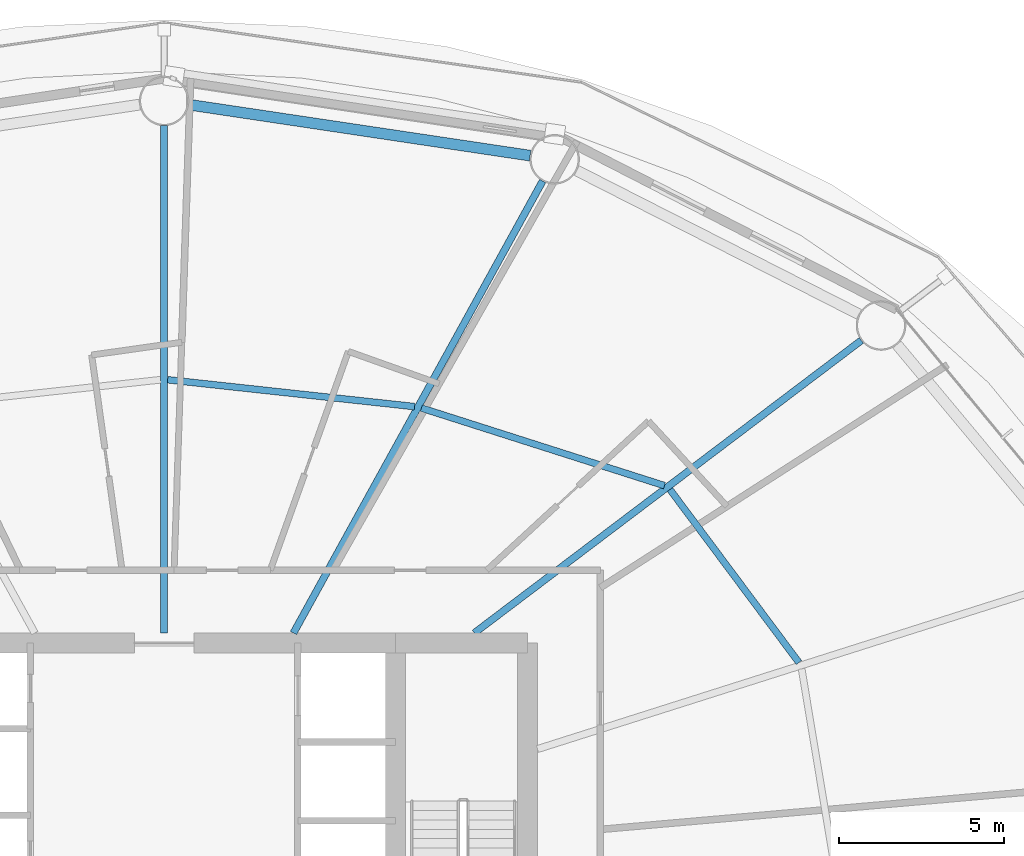
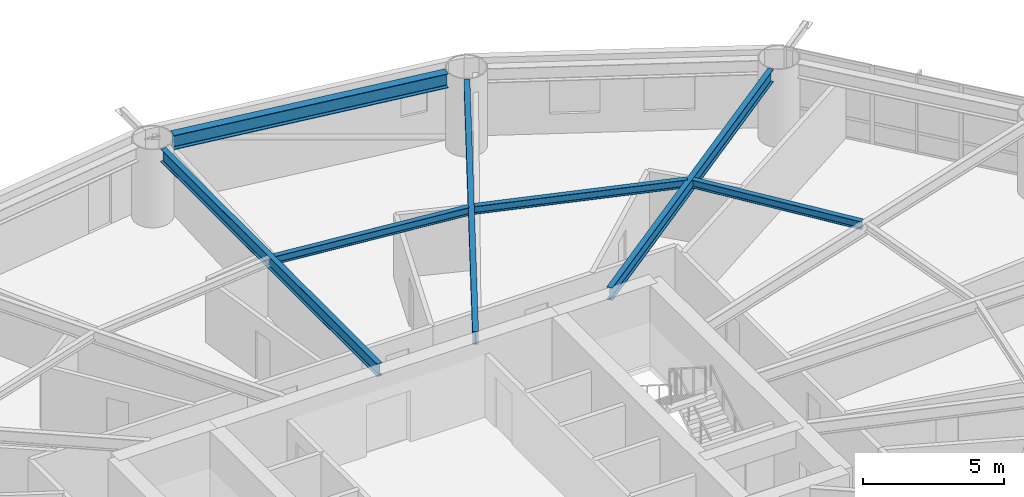
# One storey, part 13 of 28: 7 beams.
"""IFC4 building model written with IfcOpenShell, lengths in metres."""

import ifcopenshell
import ifcopenshell.guid

model = None  # the IFC model being written
_history = None  # IfcOwnerHistory: only IFC2X3 demands one
_inside = {}  # id of a spatial element -> (the spatial element, [elements in it])
_under = {}  # id of a project, library or spatial element -> (it, [spatial elements below it])
_declared = {}  # id of a project -> (the project, [libraries it declares])
_typed = {}  # id of a type object -> (the type object, [elements of that type])
_made_of = {}  # id of a material, layer set ... -> (it, [elements and type objects made of it])


def new_model(schema):
    """Start an empty IFC model of exactly this schema.

    Asked for "IFC4X3", IfcOpenShell would pick the latest addendum, in which some entities
    have other attributes; the version numbers below select the first issue.
    IFC2X3 requires an IfcOwnerHistory on every rooted entity: one is made here for all.
    """
    global model, _history
    if schema == "IFC4X3":
        model = ifcopenshell.file(schema_version=(4, 3, 0, 0))
    else:
        model = ifcopenshell.file(schema=schema)
    _inside.clear()
    _under.clear()
    _declared.clear()
    _typed.clear()
    _made_of.clear()
    _history = None
    if model.schema == "IFC2X3":
        org = make("IfcOrganization", Name="unknown")
        user = make(
            "IfcPersonAndOrganization",
            ThePerson=make("IfcPerson", FamilyName="unknown"),
            TheOrganization=org,
        )
        app = make(
            "IfcApplication",
            ApplicationDeveloper=org,
            Version="unknown",
            ApplicationFullName="unknown",
            ApplicationIdentifier="unknown",
        )
        _history = make(
            "IfcOwnerHistory",
            OwningUser=user,
            OwningApplication=app,
            ChangeAction="ADDED",
            CreationDate=0,
        )
    return model


def make(cls, **values):
    """One entity of the class cls with the attributes given. An attribute that is None is left unset."""
    return model.create_entity(
        cls, **{name: value for name, value in values.items() if value is not None}
    )


def rooted(cls, **values):
    """An entity with a GlobalId (a new one), such as an element, a storey or a relation."""
    return make(cls, GlobalId=ifcopenshell.guid.new(), OwnerHistory=_history, **values)


def si_unit(unit_type, name, prefix=None):
    """IfcSIUnit, for example si_unit("LENGTHUNIT", "METRE", prefix="MILLI")."""
    return make("IfcSIUnit", UnitType=unit_type, Prefix=prefix, Name=name)


def assignment(units):
    """IfcUnitAssignment: the units of a project."""
    return None if units is None else make("IfcUnitAssignment", Units=units)


def point(xyz):
    """IfcCartesianPoint."""
    return None if xyz is None else make("IfcCartesianPoint", Coordinates=xyz)


def direction(xyz):
    """IfcDirection."""
    return None if xyz is None else make("IfcDirection", DirectionRatios=xyz)


def frame(location, z_axis=None, x_axis=None):
    """IfcAxis2Placement3D, a coordinate frame: its origin and axes. An axis left out is left unset."""
    return make(
        "IfcAxis2Placement3D",
        Location=point(location),
        Axis=direction(z_axis),
        RefDirection=direction(x_axis),
    )


def frame_2d(location, x_axis=None):
    """IfcAxis2Placement2D, a coordinate frame in the plane: its origin and x axis."""
    return make(
        "IfcAxis2Placement2D", Location=point(location), RefDirection=direction(x_axis)
    )


def origin():
    """The frame at (0, 0, 0) with its axes left unset."""
    return frame((0.0, 0.0, 0.0))


def origin_2d():
    """The frame at (0, 0) in the plane with its x axis left unset."""
    return frame_2d((0.0, 0.0))


def place(relative_to, where):
    """IfcLocalPlacement: puts the frame where relative to a parent placement (None: the world)."""
    return make(
        "IfcLocalPlacement", PlacementRelTo=relative_to, RelativePlacement=where
    )


def context(
    kind, dimensions, precision=None, world=None, true_north=None, identifier=None
):
    """IfcGeometricRepresentationContext, for example the 3D "Model" context."""
    return make(
        "IfcGeometricRepresentationContext",
        ContextIdentifier=identifier,
        ContextType=kind,
        CoordinateSpaceDimension=dimensions,
        Precision=precision,
        WorldCoordinateSystem=world,
        TrueNorth=true_north,
    )


def subcontext(parent, identifier, kind, view, scale=None):
    """IfcGeometricRepresentationSubContext, for example "Body" below "Model"."""
    return make(
        "IfcGeometricRepresentationSubContext",
        ContextIdentifier=identifier,
        ContextType=kind,
        ParentContext=parent,
        TargetScale=scale,
        TargetView=view,
    )


def project(units=None, contexts=None):
    """IfcProject with its units and contexts."""
    return rooted(
        "IfcProject",
        Name="project",
        RepresentationContexts=contexts,
        UnitsInContext=assignment(units),
    )


def spatial(cls, under=None, at=None, **own):
    """A site, building, storey or space (cls), placed at a placement, below another one or the project."""
    s = rooted(cls, ObjectPlacement=at, **own)
    if under is not None:
        _under.setdefault(under.id(), (under, []))[1].append(s)
    return s


def profile(cls, at=None, kind="AREA", **sizes):
    """A parametric profile (cls). Its sizes go by their IFC names, for example OverallWidth=200.0."""
    return make(cls, ProfileType=kind, Position=at, **sizes)


def i_section(**sizes):
    """IfcIShapeProfileDef."""
    return profile("IfcIShapeProfileDef", **sizes)


def extrude(swept, where, along, depth):
    """IfcExtrudedAreaSolid: the profile swept, set in the frame where, extruded along a direction by depth."""
    return make(
        "IfcExtrudedAreaSolid",
        SweptArea=swept,
        Position=where,
        ExtrudedDirection=direction(along),
        Depth=depth,
    )


def shape(context_of_items, identifier, shape_type, items):
    """IfcShapeRepresentation: the items that make up one representation, for example the "Body"."""
    return make(
        "IfcShapeRepresentation",
        ContextOfItems=context_of_items,
        RepresentationIdentifier=identifier,
        RepresentationType=shape_type,
        Items=items,
    )


def material(Name=None, Category=None):
    """IfcMaterial."""
    return make("IfcMaterial", Name=Name, Category=Category)


def material_profile(
    of_material, cross_section, Name=None, Category=None, Priority=None
):
    """IfcMaterialProfile: a cross section and its material."""
    return make(
        "IfcMaterialProfile",
        Name=Name,
        Material=of_material,
        Profile=cross_section,
        Priority=Priority,
        Category=Category,
    )


def profile_set(profiles, Name=None, composite=None):
    """IfcMaterialProfileSet."""
    return make(
        "IfcMaterialProfileSet",
        Name=Name,
        MaterialProfiles=profiles,
        CompositeProfile=composite,
    )


def made_of(thing, what):
    """Note that an element or type object is made of a material, layer set ...; save() writes the relation."""
    if what is not None:
        _made_of.setdefault(what.id(), (what, []))[1].append(thing)
    return thing


def type_object(cls, material=None, **own):
    """A type object (cls), such as IfcWallType, which elements share."""
    return made_of(rooted(cls, **own), material)


def element(
    cls,
    number,
    at=None,
    inside=None,
    cuts=None,
    type_object=None,
    material=None,
    context=None,
    identifier="Body",
    shape_type=None,
    held_by="IfcProductDefinitionShape",
    body=None,
    shapes=None,
    **own,
):
    """One element of the class cls, such as IfcWall. Its Tag is "e" and its number.

    at: its placement. inside: the storey or other place that contains it. cuts: it is an
    opening in that element (IfcRelVoidsElement). A single representation is given by context,
    identifier, shape_type and body (its items); several are given by shapes. held_by: the class
    of the entity that holds the representations. save() writes the other relations.
    """
    e = rooted(cls, Tag="e%d" % number, ObjectPlacement=at, **own)
    if body is not None:
        shapes = [shape(context, identifier, shape_type, body)]
    if shapes is not None:
        e.Representation = make(held_by, Representations=shapes)
    if inside is not None:
        _inside.setdefault(inside.id(), (inside, []))[1].append(e)
    if cuts is not None:
        rooted(
            "IfcRelVoidsElement", RelatingBuildingElement=cuts, RelatedOpeningElement=e
        )
    if type_object is not None:
        _typed.setdefault(type_object.id(), (type_object, []))[1].append(e)
    return made_of(e, material)


def aggregate(whole, parts):
    """IfcRelAggregates: a whole, such as a stair, and the parts it consists of."""
    return rooted("IfcRelAggregates", RelatingObject=whole, RelatedObjects=parts)


def save(model, path):
    """Write the relations noted so far, then the file.

    IfcRelAggregates (storeys below a building ...), IfcRelContainedInSpatialStructure (elements
    in a storey), IfcRelDefinesByType, IfcRelAssociatesMaterial and IfcRelDeclares: one each for
    every whole, place, type object, material and project.
    """
    for whole, parts in _under.values():
        aggregate(whole, parts)
    for where, things in _inside.values():
        rooted(
            "IfcRelContainedInSpatialStructure",
            RelatedElements=things,
            RelatingStructure=where,
        )
    for kind, things in _typed.values():
        rooted("IfcRelDefinesByType", RelatedObjects=things, RelatingType=kind)
    for what, things in _made_of.values():
        rooted("IfcRelAssociatesMaterial", RelatedObjects=things, RelatingMaterial=what)
    for by, libraries in _declared.values():
        rooted("IfcRelDeclares", RelatingContext=by, RelatedDefinitions=libraries)
    model.write(path)


model = new_model("IFC4")

# Units and contexts
model_context = context("Model", 3, precision=1e-05, world=origin(), true_north=direction((0.0, 1.0)))
body_context = subcontext(model_context, "Body", "Model", "MODEL_VIEW")
ifc_project = project(units=[si_unit("LENGTHUNIT", "METRE"), si_unit("AREAUNIT", "SQUARE_METRE"), si_unit("VOLUMEUNIT", "CUBIC_METRE"), si_unit("PLANEANGLEUNIT", "RADIAN"), si_unit("MASSUNIT", "GRAM", prefix="KILO")], contexts=[model_context])

# Site, building, storey
site_placement = place(None, origin())
site = spatial("IfcSite", under=ifc_project, at=site_placement, CompositionType="ELEMENT")
building_placement = place(site_placement, origin())
building = spatial("IfcBuilding", under=site, at=building_placement, Name="Sarneth Arch Tower", CompositionType="ELEMENT")
storey_placement = place(building_placement, frame((0.0, 0.0, 31.800048828125)))
storey = spatial("IfcBuildingStorey", under=building, at=storey_placement, Name="L06", CompositionType="ELEMENT", Elevation=31.800048828125)

# Beams
ifc_material_1 = material(Name="Steel S355", Category="steel")
ifc_material_profile_1 = material_profile(ifc_material_1, i_section(OverallWidth=0.202880859375, OverallDepth=0.346923828125, WebThickness=0.0078125, FlangeThickness=0.013427734375, FilletRadius=0.014892578125, at=origin_2d()), Name="W360x64")
ifc_profile_set_1 = profile_set([ifc_material_profile_1], Name="Steel S355")
beam_type_1 = type_object("IfcBeamType", Name="BM-JOIST-360C", PredefinedType="JOIST", material=ifc_profile_set_1)
beam_1_placement = place(storey_placement, frame((67.21142578125, 48.205078125, 3.20654296875), z_axis=(-0.597700490469, 0.801719479428, 0.0), x_axis=(-0.801719479428, -0.597700490469, 0.0)))
element("IfcBeam", 1, at=beam_1_placement, inside=storey, type_object=beam_type_1, Name="L06 Secondary floor joist 02", PredefinedType="JOIST", context=body_context, shape_type="SweptSolid", body=[
    extrude(i_section(OverallWidth=0.202880859375, OverallDepth=0.346923828125, WebThickness=0.0078125, FlangeThickness=0.013427734375, FilletRadius=0.014892578125, at=origin_2d()), origin(), (0.0, 0.0, 1.0), 6.5302734375),
])
beam_2_placement = place(storey_placement, frame((63.142333984375, 53.558837890625, 3.20654296875), z_axis=(-0.95266836992, 0.304011475036, 0.0), x_axis=(-0.304011475036, -0.95266836992, 0.0)))
element("IfcBeam", 2, at=beam_2_placement, inside=storey, type_object=beam_type_1, Name="L06 Secondary floor joist 03", PredefinedType="JOIST", context=body_context, shape_type="SweptSolid", body=[
    extrude(i_section(OverallWidth=0.202880859375, OverallDepth=0.346923828125, WebThickness=0.0078125, FlangeThickness=0.013427734375, FilletRadius=0.014892578125, at=origin_2d()), origin(), (0.0, 0.0, 1.0), 7.720703125),
])
beam_3_placement = place(storey_placement, frame((55.578857421875, 55.9501953125, 3.20654296875), z_axis=(-0.994129966112, 0.108192469602, 0.0), x_axis=(-0.108192469602, -0.994129966112, 0.0)))
element("IfcBeam", 3, at=beam_3_placement, inside=storey, type_object=beam_type_1, Name="L06 Secondary floor joist 04", PredefinedType="JOIST", context=body_context, shape_type="SweptSolid", body=[
    extrude(i_section(OverallWidth=0.202880859375, OverallDepth=0.346923828125, WebThickness=0.0078125, FlangeThickness=0.013427734375, FilletRadius=0.014892578125, at=origin_2d()), origin(), (0.0, 0.0, 1.0), 7.5166015625),
])
ifc_material_2 = material(Name="Steel S355", Category="steel")
ifc_material_profile_2 = material_profile(ifc_material_2, i_section(OverallWidth=0.214111328125, OverallDepth=0.549072265625, WebThickness=0.0146484375, FlangeThickness=0.023681640625, FilletRadius=0.01806640625, at=origin_2d()), Name="W530x138")
ifc_profile_set_2 = profile_set([ifc_material_profile_2], Name="Steel S355")
beam_type_2 = type_object("IfcBeamType", Name="BM-RAD-530A", PredefinedType="BEAM", material=ifc_profile_set_2)
beam_4_placement = place(storey_placement, frame((57.390380859375, 49.10009765625, 3.10546875), z_axis=(0.79765464731, 0.603114469753, 0.0), x_axis=(-0.603114469753, 0.79765464731, 0.0)))
element("IfcBeam", 4, at=beam_4_placement, inside=storey, type_object=beam_type_2, Name="L06 Radial floor girder 03", PredefinedType="BEAM", context=body_context, shape_type="SweptSolid", body=[
    extrude(i_section(OverallWidth=0.214111328125, OverallDepth=0.549072265625, WebThickness=0.0146484375, FlangeThickness=0.023681640625, FilletRadius=0.01806640625, at=origin_2d()), origin(), (0.0, 0.0, 1.0), 14.677978515625),
])
beam_5_placement = place(storey_placement, frame((51.91455078125, 49.10009765625, 3.10546875), z_axis=(0.482841370957, 0.875707833979, 0.0), x_axis=(-0.875707833979, 0.482841370957, 0.0)))
element("IfcBeam", 5, at=beam_5_placement, inside=storey, type_object=beam_type_2, Name="L06 Radial floor girder 04", PredefinedType="BEAM", context=body_context, shape_type="SweptSolid", body=[
    extrude(i_section(OverallWidth=0.214111328125, OverallDepth=0.549072265625, WebThickness=0.0146484375, FlangeThickness=0.023681640625, FilletRadius=0.01806640625, at=origin_2d()), origin(), (0.0, 0.0, 1.0), 15.618408203125),
])
beam_6_placement = place(storey_placement, frame((48.0, 49.10009765625, 3.10546875), z_axis=(0.0, 1.0, 0.0), x_axis=(-1.0, 0.0, 0.0)))
element("IfcBeam", 6, at=beam_6_placement, inside=storey, type_object=beam_type_2, Name="L06 Radial floor girder 05", PredefinedType="BEAM", context=body_context, shape_type="SweptSolid", body=[
    extrude(i_section(OverallWidth=0.214111328125, OverallDepth=0.549072265625, WebThickness=0.0146484375, FlangeThickness=0.023681640625, FilletRadius=0.01806640625, at=origin_2d()), origin(), (0.0, 0.0, 1.0), 15.349853515625),
])
ifc_material_3 = material(Name="Steel S355", Category="steel")
ifc_material_profile_3 = material_profile(ifc_material_3, i_section(OverallWidth=0.326904296875, OverallDepth=0.6220703125, WebThickness=0.015380859375, FlangeThickness=0.0244140625, FilletRadius=0.01904296875, at=origin_2d()), Name="W610x195")
ifc_profile_set_3 = profile_set([ifc_material_profile_3], Name="Steel S355")
beam_type_3 = type_object("IfcBeamType", Name="BM-SPAN-610A", PredefinedType="SPANDREL", material=ifc_profile_set_3)
beam_7_placement = place(storey_placement, frame((59.076171875, 63.544921875, 3.06884765625), z_axis=(-0.989020169581, 0.147780594675, 0.0), x_axis=(-0.147780594675, -0.989020169581, 0.0)))
element("IfcBeam", 7, at=beam_7_placement, inside=storey, type_object=beam_type_3, Name="L06 Perimeter spandrel beam 04", PredefinedType="SPANDREL", context=body_context, shape_type="SweptSolid", body=[
    extrude(i_section(OverallWidth=0.326904296875, OverallDepth=0.6220703125, WebThickness=0.015380859375, FlangeThickness=0.0244140625, FilletRadius=0.01904296875, at=origin_2d()), origin(), (0.0, 0.0, 1.0), 10.44921875),
])

save(model, "model.ifc")
